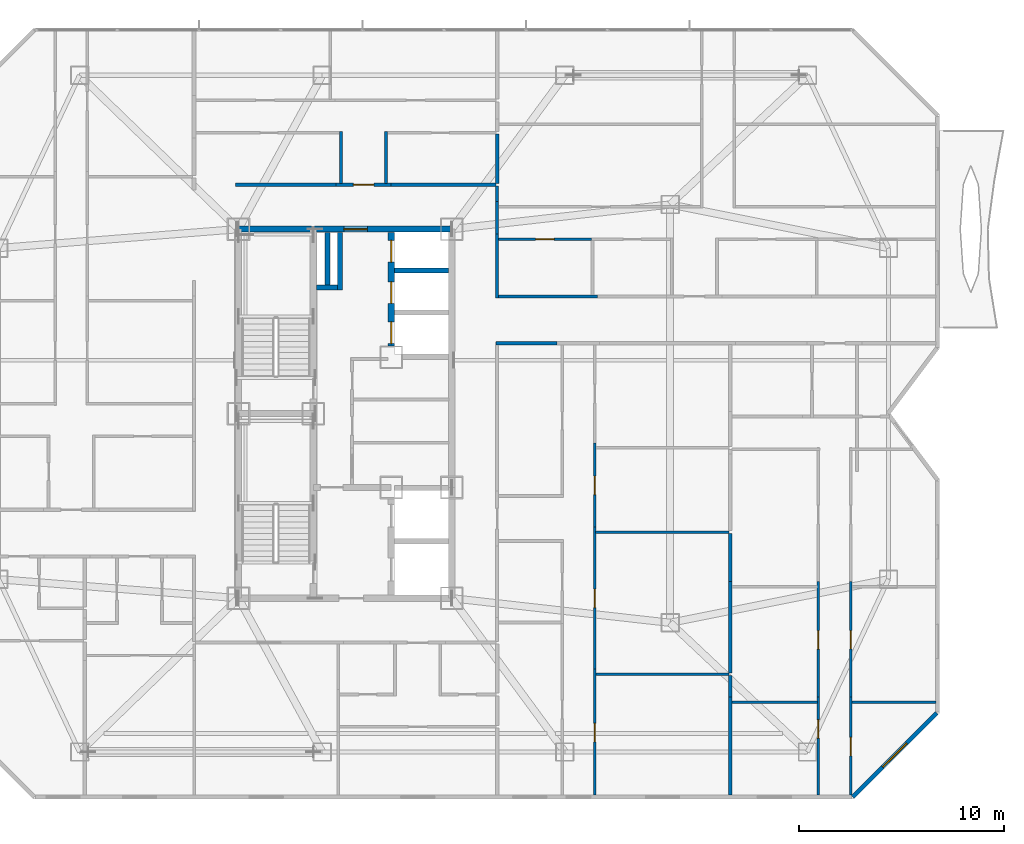
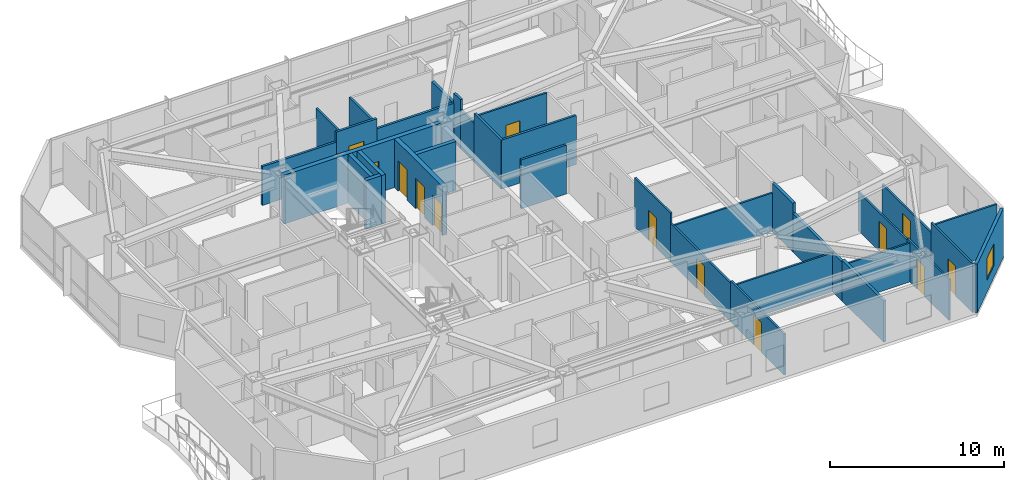
# One storey, part 17 of 21: 34 walls, 13 doors, 1 window, 14 openings.
"""IFC4 building model written with IfcOpenShell, lengths in metres."""

from ifc_helpers import new_model, si_unit, direction, frame, frame_2d, origin, place, context, subcontext, project, spatial, rectangle, extrude, material, layer, layer_set, type_object, element, fill, save


model = new_model("IFC4")

# Units and contexts
model_context = context("Model", 3, precision=1e-05, world=origin(), true_north=direction((0.0, 1.0)))
body_context = subcontext(model_context, "Body", "Model", "MODEL_VIEW")
ifc_project = project(units=[si_unit("LENGTHUNIT", "METRE"), si_unit("AREAUNIT", "SQUARE_METRE"), si_unit("VOLUMEUNIT", "CUBIC_METRE"), si_unit("PLANEANGLEUNIT", "RADIAN"), si_unit("MASSUNIT", "GRAM", prefix="KILO")], contexts=[model_context])

# Site, building, storey
site_placement = place(None, origin())
site = spatial("IfcSite", under=ifc_project, at=site_placement, CompositionType="ELEMENT")
building_placement = place(site_placement, origin())
building = spatial("IfcBuilding", under=site, at=building_placement, Name="Khamvora Tower", CompositionType="ELEMENT")
storey_placement = place(building_placement, frame((0.0, 0.0, 159.550048828125)))
storey = spatial("IfcBuildingStorey", under=building, at=storey_placement, Name="L40", CompositionType="ELEMENT", Elevation=159.550048828125)

# Wall, opening, door
ifc_material_1 = material(Name="Concrete C50/60", Category="concrete")
ifc_layer_1 = layer(ifc_material_1, 0.300048828125)
ifc_layer_set_1 = layer_set([ifc_layer_1], Name="Concrete C50/60")
wall_type_1 = type_object("IfcWallType", Name="WAL-CORE-300", PredefinedType="SHEAR", material=ifc_layer_set_1)
wall_1_placement = place(storey_placement, frame((29.0, 37.0, 0.0), z_axis=(0.0, 0.0, 1.0), x_axis=(1.0, 0.0, 0.0)))
wall_1 = element("IfcWall", 1, at=wall_1_placement, inside=storey, type_object=wall_type_1, Name="L40 central core north wall", PredefinedType="SHEAR", context=body_context, shape_type="SweptSolid", body=[
    extrude(rectangle(XDim=10.39990234375, YDim=0.300048828125, at=frame_2d((5.199951171875, 0.0))), origin(), (0.0, 0.0, 1.0), 3.429931640625),
])
opening_1_placement = place(wall_1_placement, frame((5.139892578125, 0.0, 0.0)))
opening_1 = element("IfcOpeningElement", 2, at=opening_1_placement, cuts=wall_1, Name="Opening D-SC1", PredefinedType="OPENING", context=body_context, shape_type="SweptSolid", body=[
    extrude(rectangle(XDim=1.14990234375, YDim=2.199951171875, at=frame_2d((0.574951171875, 1.10009765625))), frame((0.0, 0.159912109375, 0.0), z_axis=(0.0, -1.0, 0.0), x_axis=(1.0, 0.0, 0.0)), (0.0, 0.0, 1.0), 0.320068359375),
])
ifc_material_2 = material(Name="Powder-Coated Steel and Hardwood Leaf", Category="steel")
door_type_1 = type_object("IfcDoorType", Name="DOR-SCHL-1150", OperationType="NOTDEFINED", PredefinedType="DOOR", material=ifc_material_2)
door_1_placement = place(opening_1_placement, origin())
door_1 = element("IfcDoor", 3, at=door_1_placement, inside=storey, type_object=door_type_1, Name="L40 north core lobby to corridor fire door", OperationType="SINGLE_SWING_LEFT", OverallHeight=2.199951171875, OverallWidth=1.14990234375, PredefinedType="DOOR", context=body_context, shape_type="SweptSolid", body=[
    extrude(rectangle(XDim=1.14990234375, YDim=2.199951171875, at=frame_2d((0.574951171875, 1.10009765625))), frame((0.0, 0.02490234375, 0.0), z_axis=(0.0, -1.0, 0.0), x_axis=(1.0, 0.0, 0.0)), (0.0, 0.0, 1.0), 0.050048828125),
])
fill(opening_1, door_1)

# Wall, openings, doors
wall_2_placement = place(storey_placement, frame((36.449951171875, 31.300048828125, 0.0), z_axis=(0.0, 0.0, 1.0), x_axis=(0.0, 1.0, 0.0)))
wall_2 = element("IfcWall", 4, at=wall_2_placement, inside=storey, type_object=wall_type_1, Name="L40 central core lift bank central wall", PredefinedType="SHEAR", context=body_context, shape_type="SweptSolid", body=[
    extrude(rectangle(XDim=5.5458984375, YDim=0.300048828125, at=frame_2d((2.77294921875, 0.0))), origin(), (0.0, 0.0, 1.0), 3.429931640625),
])
opening_2_placement = place(wall_2_placement, frame((0.1201171875, 0.0, 0.0)))
opening_2 = element("IfcOpeningElement", 5, at=opening_2_placement, cuts=wall_2, Name="Opening LD-PL", PredefinedType="OPENING", context=body_context, shape_type="SweptSolid", body=[
    extrude(rectangle(XDim=1.050048828125, YDim=2.14990234375, at=frame_2d((0.52490234375, 1.074951171875))), frame((0.0, 0.159912109375, 0.0), z_axis=(0.0, -1.0, 0.0), x_axis=(1.0, 0.0, 0.0)), (0.0, 0.0, 1.0), 0.320068359375),
])
opening_3_placement = place(wall_2_placement, frame((2.074951171875, 0.0, 0.0)))
opening_3 = element("IfcOpeningElement", 6, at=opening_3_placement, cuts=wall_2, Name="Opening LD-PL", PredefinedType="OPENING", context=body_context, shape_type="SweptSolid", body=[
    extrude(rectangle(XDim=1.050048828125, YDim=2.14990234375, at=frame_2d((0.52490234375, 1.074951171875))), frame((0.0, 0.159912109375, 0.0), z_axis=(0.0, -1.0, 0.0), x_axis=(1.0, 0.0, 0.0)), (0.0, 0.0, 1.0), 0.320068359375),
])
opening_4_placement = place(wall_2_placement, frame((4.094970703125, 0.0, 0.0)))
opening_4 = element("IfcOpeningElement", 7, at=opening_4_placement, cuts=wall_2, Name="Opening LD-PL", PredefinedType="OPENING", context=body_context, shape_type="SweptSolid", body=[
    extrude(rectangle(XDim=1.050048828125, YDim=2.14990234375, at=frame_2d((0.52490234375, 1.074951171875))), frame((0.0, 0.159912109375, 0.0), z_axis=(0.0, -1.0, 0.0), x_axis=(1.0, 0.0, 0.0)), (0.0, 0.0, 1.0), 0.320068359375),
])
door_type_2 = type_object("IfcDoorType", Name="DOR-LIFT-1050", OperationType="SLIDING_TO_LEFT", PredefinedType="DOOR", material=ifc_material_2)
door_2_placement = place(opening_2_placement, origin())
door_2 = element("IfcDoor", 8, at=door_2_placement, inside=storey, type_object=door_type_2, Name="L40 lift landing sliding door PH-01", OperationType="SLIDING_TO_LEFT", OverallHeight=2.14990234375, OverallWidth=1.050048828125, PredefinedType="DOOR", context=body_context, shape_type="SweptSolid", body=[
    extrude(rectangle(XDim=1.050048828125, YDim=2.14990234375, at=frame_2d((0.52490234375, 1.074951171875))), frame((0.0, 0.02490234375, 0.0), z_axis=(0.0, -1.0, 0.0), x_axis=(1.0, 0.0, 0.0)), (0.0, 0.0, 1.0), 0.050048828125),
])
fill(opening_2, door_2)
door_3_placement = place(opening_3_placement, origin())
door_3 = element("IfcDoor", 9, at=door_3_placement, inside=storey, type_object=door_type_2, Name="L40 lift landing sliding door PH-02", OperationType="SLIDING_TO_LEFT", OverallHeight=2.14990234375, OverallWidth=1.050048828125, PredefinedType="DOOR", context=body_context, shape_type="SweptSolid", body=[
    extrude(rectangle(XDim=1.050048828125, YDim=2.14990234375, at=frame_2d((0.52490234375, 1.074951171875))), frame((0.0, 0.02490234375, 0.0), z_axis=(0.0, -1.0, 0.0), x_axis=(1.0, 0.0, 0.0)), (0.0, 0.0, 1.0), 0.050048828125),
])
fill(opening_3, door_3)
door_4_placement = place(opening_4_placement, origin())
door_4 = element("IfcDoor", 10, at=door_4_placement, inside=storey, type_object=door_type_2, Name="L40 lift landing sliding door PH-03", OperationType="SLIDING_TO_LEFT", OverallHeight=2.14990234375, OverallWidth=1.050048828125, PredefinedType="DOOR", context=body_context, shape_type="SweptSolid", body=[
    extrude(rectangle(XDim=1.050048828125, YDim=2.14990234375, at=frame_2d((0.52490234375, 1.074951171875))), frame((0.0, 0.02490234375, 0.0), z_axis=(0.0, -1.0, 0.0), x_axis=(1.0, 0.0, 0.0)), (0.0, 0.0, 1.0), 0.050048828125),
])
fill(opening_4, door_4)

# Wall, opening, door
ifc_material_3 = material(Name="Fire-Rated Drywall and Steel Stud", Category="steel")
ifc_layer_2 = layer(ifc_material_3, 0.14990234375)
ifc_layer_set_2 = layer_set([ifc_layer_2], Name="Fire-Rated Drywall and Steel Stud")
wall_type_2 = type_object("IfcWallType", Name="WAL-CORR-150", PredefinedType="STANDARD", material=ifc_layer_set_2)
wall_3_placement = place(storey_placement, frame((33.75, 39.1650390625, 0.0), z_axis=(0.0, 0.0, 1.0), x_axis=(1.0, 0.0, 0.0)))
wall_3 = element("IfcWall", 11, at=wall_3_placement, inside=storey, type_object=wall_type_2, Name="L40 interior partition wall 025", PredefinedType="STANDARD", context=body_context, shape_type="SweptSolid", body=[
    extrude(rectangle(XDim=2.697998046875, YDim=0.14990234375, at=frame_2d((1.34912109375, 0.0))), origin(), (0.0, 0.0, 1.0), 3.429931640625),
])
opening_5_placement = place(wall_3_placement, frame((0.84912109375, 0.0, 0.0)))
opening_5 = element("IfcOpeningElement", 12, at=opening_5_placement, cuts=wall_3, Name="Opening D-U1", PredefinedType="OPENING", context=body_context, shape_type="SweptSolid", body=[
    extrude(rectangle(XDim=1.0, YDim=2.14990234375, at=frame_2d((0.5, 1.074951171875))), frame((0.0, 0.0849609375, 0.0), z_axis=(0.0, -1.0, 0.0), x_axis=(1.0, 0.0, 0.0)), (0.0, 0.0, 1.0), 0.169921875),
])
door_type_3 = type_object("IfcDoorType", Name="DOR-UNIT-1000", OperationType="NOTDEFINED", PredefinedType="DOOR", material=ifc_material_2)
door_5_placement = place(opening_5_placement, origin())
door_5 = element("IfcDoor", 13, at=door_5_placement, inside=storey, type_object=door_type_3, Name="L40 interior door COR-40NAH", OperationType="SINGLE_SWING_LEFT", OverallHeight=2.14990234375, OverallWidth=1.0, PredefinedType="DOOR", context=body_context, shape_type="SweptSolid", body=[
    extrude(rectangle(XDim=1.0, YDim=2.14990234375, at=frame_2d((0.5, 1.074951171875))), frame((0.0, 0.02490234375, 0.0), z_axis=(0.0, -1.0, 0.0), x_axis=(1.0, 0.0, 0.0)), (0.0, 0.0, 1.0), 0.050048828125),
])
fill(opening_5, door_5)

# Walls
wall_4_placement = place(storey_placement, frame((36.447998046875, 39.1650390625, 0.0), z_axis=(0.0, 0.0, 1.0), x_axis=(1.0, 0.0, 0.0)))
element("IfcWall", 14, at=wall_4_placement, inside=storey, type_object=wall_type_2, Name="L40 interior partition wall 026", PredefinedType="STANDARD", context=body_context, shape_type="SweptSolid", body=[
    extrude(rectangle(XDim=5.10205078125, YDim=0.14990234375, at=frame_2d((2.551025390625, 0.0))), origin(), (0.0, 0.0, 1.0), 2.724853515625),
])
wall_5_placement = place(storey_placement, frame((28.85009765625, 39.1650390625, 0.0), z_axis=(0.0, 0.0, 1.0), x_axis=(1.0, 0.0, 0.0)))
element("IfcWall", 15, at=wall_5_placement, inside=storey, type_object=wall_type_2, Name="L40 interior partition wall 027", PredefinedType="STANDARD", context=body_context, shape_type="SweptSolid", body=[
    extrude(rectangle(XDim=4.89990234375, YDim=0.14990234375, at=frame_2d((2.449951171875, 0.0))), origin(), (0.0, 0.0, 1.0), 2.724853515625),
])
wall_6_placement = place(storey_placement, frame((44.5390625, 31.43505859375, 0.0), z_axis=(0.0, 0.0, 1.0), x_axis=(-1.0, 0.0, 0.0)))
element("IfcWall", 16, at=wall_6_placement, inside=storey, type_object=wall_type_2, Name="L40 interior partition wall 032", PredefinedType="STANDARD", context=body_context, shape_type="SweptSolid", body=[
    extrude(rectangle(XDim=2.989013671875, YDim=0.14990234375, at=frame_2d((1.49462890625, 0.0))), origin(), (0.0, 0.0, 1.0), 3.429931640625),
])
wall_7_placement = place(storey_placement, frame((41.614990234375, 36.758056640625, 0.0), z_axis=(0.0, 0.0, 1.0), x_axis=(0.0, -1.0, 0.0)))
element("IfcWall", 17, at=wall_7_placement, inside=storey, type_object=wall_type_2, Name="L40 interior partition wall 038", PredefinedType="STANDARD", context=body_context, shape_type="SweptSolid", body=[
    extrude(rectangle(XDim=3.108154296875, YDim=0.14990234375, at=frame_2d((1.55419921875, 0.0))), origin(), (0.0, 0.0, 1.0), 3.429931640625),
])
wall_8_placement = place(storey_placement, frame((41.550048828125, 33.715087890625, 0.0), z_axis=(0.0, 0.0, 1.0), x_axis=(1.0, 0.0, 0.0)))
element("IfcWall", 18, at=wall_8_placement, inside=storey, type_object=wall_type_2, Name="L40 interior partition wall 039", PredefinedType="STANDARD", context=body_context, shape_type="SweptSolid", body=[
    extrude(rectangle(XDim=4.968994140625, YDim=0.14990234375, at=frame_2d((2.484375, 0.0))), origin(), (0.0, 0.0, 1.0), 3.429931640625),
])
wall_9_placement = place(storey_placement, frame((41.614990234375, 38.337890625, 0.0), z_axis=(0.0, 0.0, 1.0), x_axis=(0.0, -1.0, 0.0)))
element("IfcWall", 19, at=wall_9_placement, inside=storey, type_object=wall_type_2, Name="L40 interior partition wall 041", PredefinedType="STANDARD", context=body_context, shape_type="SweptSolid", body=[
    extrude(rectangle(XDim=1.579833984375, YDim=0.14990234375, at=frame_2d((0.7900390625, 0.0))), origin(), (0.0, 0.0, 1.0), 2.724853515625),
])
wall_10_placement = place(storey_placement, frame((41.614990234375, 39.10009765625, 0.0), z_axis=(0.0, 0.0, 1.0), x_axis=(0.0, -1.0, 0.0)))
element("IfcWall", 20, at=wall_10_placement, inside=storey, type_object=wall_type_2, Name="L40 interior partition wall 045", PredefinedType="STANDARD", context=body_context, shape_type="SweptSolid", body=[
    extrude(rectangle(XDim=0.76220703125, YDim=0.14990234375, at=frame_2d((0.381103515625, 0.0))), origin(), (0.0, 0.0, 1.0), 3.429931640625),
])
ifc_material_4 = material(Name="Acoustic Double-Stud Fire Wall", Category="gypsum")
ifc_layer_3 = layer(ifc_material_4, 0.179931640625)
ifc_layer_set_3 = layer_set([ifc_layer_3], Name="Acoustic Double-Stud Fire Wall")
wall_type_3 = type_object("IfcWallType", Name="WAL-CORR-180", PredefinedType="STANDARD", material=ifc_layer_set_3)
wall_11_placement = place(storey_placement, frame((41.614990234375, 41.6298828125, 0.0), z_axis=(0.0, 0.0, 1.0), x_axis=(0.0, -1.0, 0.0)))
element("IfcWall", 21, at=wall_11_placement, inside=storey, type_object=wall_type_3, Name="L40 interior partition wall 103", PredefinedType="STANDARD", context=body_context, shape_type="SweptSolid", body=[
    extrude(rectangle(XDim=2.39990234375, YDim=0.179931640625, at=frame_2d((1.199951171875, 0.0))), origin(), (0.0, 0.0, 1.0), 2.724853515625),
])
wall_12_placement = place(storey_placement, frame((52.985107421875, 14.177001953125, 0.0), z_axis=(0.0, 0.0, 1.0), x_axis=(0.0, -1.0, 0.0)))
element("IfcWall", 22, at=wall_12_placement, inside=storey, type_object=wall_type_3, Name="L40 interior partition wall 117", PredefinedType="STANDARD", context=body_context, shape_type="SweptSolid", body=[
    extrude(rectangle(XDim=4.784912109375, YDim=0.179931640625, at=frame_2d((2.392578125, 0.0))), origin(), (0.0, 0.0, 1.0), 2.8759765625),
])
wall_13_placement = place(storey_placement, frame((52.985107421875, 15.23193359375, 0.0), z_axis=(0.0, 0.0, 1.0), x_axis=(0.0, -1.0, 0.0)))
element("IfcWall", 23, at=wall_13_placement, inside=storey, type_object=wall_type_3, Name="L40 interior partition wall 118", PredefinedType="STANDARD", context=body_context, shape_type="SweptSolid", body=[
    extrude(rectangle(XDim=1.054931640625, YDim=0.179931640625, at=frame_2d((0.52734375, 0.0))), origin(), (0.0, 0.0, 1.0), 2.724853515625),
])
wall_14_placement = place(storey_placement, frame((52.985107421875, 19.81005859375, 0.0), z_axis=(0.0, 0.0, 1.0), x_axis=(0.0, -1.0, 0.0)))
element("IfcWall", 24, at=wall_14_placement, inside=storey, type_object=wall_type_3, Name="L40 interior partition wall 120", PredefinedType="STANDARD", context=body_context, shape_type="SweptSolid", body=[
    extrude(rectangle(XDim=4.447998046875, YDim=0.179931640625, at=frame_2d((2.22412109375, 0.0))), origin(), (0.0, 0.0, 1.0), 2.724853515625),
])
wall_15_placement = place(storey_placement, frame((52.985107421875, 22.160888671875, 0.0), z_axis=(0.0, 0.0, 1.0), x_axis=(0.0, -1.0, 0.0)))
element("IfcWall", 25, at=wall_15_placement, inside=storey, type_object=wall_type_3, Name="L40 interior partition wall 121", PredefinedType="STANDARD", context=body_context, shape_type="SweptSolid", body=[
    extrude(rectangle(XDim=2.350830078125, YDim=0.179931640625, at=frame_2d((1.17529296875, 0.0))), origin(), (0.0, 0.0, 1.0), 3.429931640625),
])

# Wall, opening, window
ifc_material_5 = material(Name="Precast concrete C40/50", Category="concrete")
ifc_layer_4 = layer(ifc_material_5, 0.199951171875)
ifc_layer_set_4 = layer_set([ifc_layer_4], Name="Precast concrete C40/50")
wall_type_4 = type_object("IfcWallType", Name="WAL-EXT-200", PredefinedType="STANDARD", material=ifc_layer_set_4)
wall_16_placement = place(storey_placement, frame((63.056884765625, 13.39794921875, 0.0), z_axis=(0.0, 0.0, 1.0), x_axis=(-0.707106781187, -0.707106781187, 0.0)))
wall_16 = element("IfcWall", 26, at=wall_16_placement, inside=storey, type_object=wall_type_4, Name="L40 exterior facade wall 13.1", PredefinedType="STANDARD", context=body_context, shape_type="SweptSolid", body=[
    extrude(rectangle(XDim=5.79541015625, YDim=0.199951171875, at=frame_2d((2.897705078125, 0.0))), origin(), (0.0, 0.0, 1.0), 3.429931640625),
])
opening_6_placement = place(wall_16_placement, frame((2.072998046875, 0.0, 0.85009765625)))
opening_6 = element("IfcOpeningElement", 27, at=opening_6_placement, cuts=wall_16, Name="Opening WN-06", PredefinedType="OPENING", context=body_context, shape_type="SweptSolid", body=[
    extrude(rectangle(XDim=1.64990234375, YDim=1.550048828125, at=frame_2d((0.824951171875, 0.77490234375))), frame((0.0, 0.10986328125, 0.0), z_axis=(0.0, -1.0, 0.0), x_axis=(1.0, 0.0, 0.0)), (0.0, 0.0, 1.0), 0.219970703125),
])
ifc_material_6 = material(Name="Low-E Laminated Double Glazing", Category="glass")
window_type = type_object("IfcWindowType", Name="WIN-VIS-1650x1550", PartitioningType="SINGLE_PANEL", PredefinedType="WINDOW", material=ifc_material_6)
window_placement = place(opening_6_placement, origin())
window = element("IfcWindow", 28, at=window_placement, inside=storey, type_object=window_type, Name="L40 vision window 13.1.01", OverallHeight=1.550048828125, OverallWidth=1.64990234375, PartitioningType="SINGLE_PANEL", PredefinedType="WINDOW", context=body_context, shape_type="SweptSolid", body=[
    extrude(rectangle(XDim=1.64990234375, YDim=1.550048828125, at=frame_2d((0.824951171875, 0.77490234375))), frame((0.0, 0.030029296875, 0.0), z_axis=(0.0, -1.0, 0.0), x_axis=(1.0, 0.0, 0.0)), (0.0, 0.0, 1.0), 0.06005859375),
])
fill(opening_6, window)

# Wall, opening, door
ifc_material_7 = material(Name="Gypsum Plasterboard Partition", Category="gypsum")
ifc_layer_5 = layer(ifc_material_7, 0.1201171875)
ifc_layer_set_5 = layer_set([ifc_layer_5], Name="Gypsum Plasterboard Partition")
wall_type_5 = type_object("IfcWallType", Name="WAL-PART-120", PredefinedType="PARTITIONING", material=ifc_layer_set_5)
wall_17_placement = place(storey_placement, frame((46.367919921875, 15.5458984375, 0.0), z_axis=(0.0, 0.0, 1.0), x_axis=(0.0, -1.0, 0.0)))
wall_17 = element("IfcWall", 29, at=wall_17_placement, inside=storey, type_object=wall_type_5, Name="L40 interior partition wall 112", PredefinedType="PARTITIONING", context=body_context, shape_type="SweptSolid", body=[
    extrude(rectangle(XDim=6.15380859375, YDim=0.1201171875, at=frame_2d((3.076904296875, 0.0))), origin(), (0.0, 0.0, 1.0), 2.8759765625),
])
opening_7_placement = place(wall_17_placement, frame((2.64794921875, 0.0, 0.0)))
opening_7 = element("IfcOpeningElement", 30, at=opening_7_placement, cuts=wall_17, Name="Opening D-RM1", PredefinedType="OPENING", context=body_context, shape_type="SweptSolid", body=[
    extrude(rectangle(XDim=0.89990234375, YDim=2.10009765625, at=frame_2d((0.449951171875, 1.050048828125))), frame((0.0, 0.070068359375, 0.0), z_axis=(0.0, -1.0, 0.0), x_axis=(1.0, 0.0, 0.0)), (0.0, 0.0, 1.0), 0.14013671875),
])
door_type_4 = type_object("IfcDoorType", Name="DOR-ROOM-900", OperationType="NOTDEFINED", PredefinedType="DOOR", material=ifc_material_2)
door_6_placement = place(opening_7_placement, origin())
door_6 = element("IfcDoor", 31, at=door_6_placement, inside=storey, type_object=door_type_4, Name="L40 interior door 40EAH-40EAR1", OperationType="SINGLE_SWING_LEFT", OverallHeight=2.10009765625, OverallWidth=0.89990234375, PredefinedType="DOOR", context=body_context, shape_type="SweptSolid", body=[
    extrude(rectangle(XDim=0.89990234375, YDim=2.10009765625, at=frame_2d((0.449951171875, 1.050048828125))), frame((0.0, 0.02490234375, 0.0), z_axis=(0.0, -1.0, 0.0), x_axis=(1.0, 0.0, 0.0)), (0.0, 0.0, 1.0), 0.050048828125),
])
fill(opening_7, door_6)

wall_18_placement = place(storey_placement, frame((46.367919921875, 22.47509765625, 0.0), z_axis=(0.0, 0.0, 1.0), x_axis=(0.0, -1.0, 0.0)))
wall_18 = element("IfcWall", 32, at=wall_18_placement, inside=storey, type_object=wall_type_5, Name="L40 interior partition wall 113", PredefinedType="PARTITIONING", context=body_context, shape_type="SweptSolid", body=[
    extrude(rectangle(XDim=6.92919921875, YDim=0.1201171875, at=frame_2d((3.464599609375, 0.0))), origin(), (0.0, 0.0, 1.0), 2.724853515625),
])
opening_8_placement = place(wall_18_placement, frame((3.034912109375, 0.0, 0.0)))
opening_8 = element("IfcOpeningElement", 33, at=opening_8_placement, cuts=wall_18, Name="Opening D-RM1", PredefinedType="OPENING", context=body_context, shape_type="SweptSolid", body=[
    extrude(rectangle(XDim=0.89990234375, YDim=2.10009765625, at=frame_2d((0.449951171875, 1.050048828125))), frame((0.0, 0.070068359375, 0.0), z_axis=(0.0, -1.0, 0.0), x_axis=(1.0, 0.0, 0.0)), (0.0, 0.0, 1.0), 0.14013671875),
])
door_7_placement = place(opening_8_placement, origin())
door_7 = element("IfcDoor", 34, at=door_7_placement, inside=storey, type_object=door_type_4, Name="L40 interior door 40EAH-40EAR2", OperationType="SINGLE_SWING_RIGHT", OverallHeight=2.10009765625, OverallWidth=0.89990234375, PredefinedType="DOOR", context=body_context, shape_type="SweptSolid", body=[
    extrude(rectangle(XDim=0.89990234375, YDim=2.10009765625, at=frame_2d((0.449951171875, 1.050048828125))), frame((0.0, 0.02490234375, 0.0), z_axis=(0.0, -1.0, 0.0), x_axis=(1.0, 0.0, 0.0)), (0.0, 0.0, 1.0), 0.050048828125),
])
fill(opening_8, door_7)

wall_19_placement = place(storey_placement, frame((46.367919921875, 26.575927734375, 0.0), z_axis=(0.0, 0.0, 1.0), x_axis=(0.0, -1.0, 0.0)))
wall_19 = element("IfcWall", 35, at=wall_19_placement, inside=storey, type_object=wall_type_5, Name="L40 interior partition wall 114", PredefinedType="PARTITIONING", context=body_context, shape_type="SweptSolid", body=[
    extrude(rectangle(XDim=4.100830078125, YDim=0.1201171875, at=frame_2d((2.05029296875, 0.0))), origin(), (0.0, 0.0, 1.0), 3.429931640625),
])
opening_9_placement = place(wall_19_placement, frame((1.62109375, 0.0, 0.0)))
opening_9 = element("IfcOpeningElement", 36, at=opening_9_placement, cuts=wall_19, Name="Opening D-RM1", PredefinedType="OPENING", context=body_context, shape_type="SweptSolid", body=[
    extrude(rectangle(XDim=0.89990234375, YDim=2.10009765625, at=frame_2d((0.449951171875, 1.050048828125))), frame((0.0, 0.070068359375, 0.0), z_axis=(0.0, -1.0, 0.0), x_axis=(1.0, 0.0, 0.0)), (0.0, 0.0, 1.0), 0.14013671875),
])
door_8_placement = place(opening_9_placement, origin())
door_8 = element("IfcDoor", 37, at=door_8_placement, inside=storey, type_object=door_type_4, Name="L40 interior door 40EAH-40EAR3", OperationType="SINGLE_SWING_LEFT", OverallHeight=2.10009765625, OverallWidth=0.89990234375, PredefinedType="DOOR", context=body_context, shape_type="SweptSolid", body=[
    extrude(rectangle(XDim=0.89990234375, YDim=2.10009765625, at=frame_2d((0.449951171875, 1.050048828125))), frame((0.0, 0.02490234375, 0.0), z_axis=(0.0, -1.0, 0.0), x_axis=(1.0, 0.0, 0.0)), (0.0, 0.0, 1.0), 0.050048828125),
])
fill(opening_9, door_8)

# Walls
for number, where, z_axis, x_axis, name in (
    (38, (46.422119140625, 15.297119140625, 0.0), (0.0, 0.0, 1.0), (1.0, 0.0, 0.0), "L40 interior partition wall 116"),
    (39, (46.422119140625, 22.22607421875, 0.0), (0.0, 0.0, 1.0), (1.0, 0.0, 0.0), "L40 interior partition wall 119"),
):
    element("IfcWall", number, at=place(storey_placement, frame(where, z_axis=z_axis, x_axis=x_axis)), inside=storey, type_object=wall_type_5, Name=name, PredefinedType="PARTITIONING", context=body_context, shape_type="SweptSolid", body=[
        extrude(rectangle(XDim=6.497802734375, YDim=0.1201171875, at=frame_2d((3.2490234375, 0.0))), origin(), (0.0, 0.0, 1.0), 2.724853515625),
    ])

# Wall, opening, door
wall_20_placement = place(storey_placement, frame((57.284912109375, 9.39208984375, 0.0), z_axis=(0.0, 0.0, 1.0), x_axis=(0.0, 1.0, 0.0)))
wall_20 = element("IfcWall", 40, at=wall_20_placement, inside=storey, type_object=wall_type_5, Name="L40 interior partition wall 131", PredefinedType="PARTITIONING", context=body_context, shape_type="SweptSolid", body=[
    extrude(rectangle(XDim=4.784912109375, YDim=0.1201171875, at=frame_2d((2.392578125, 0.0))), origin(), (0.0, 0.0, 1.0), 2.8759765625),
])
opening_10_placement = place(wall_20_placement, frame((2.778076171875, 0.0, 0.0)))
opening_10 = element("IfcOpeningElement", 41, at=opening_10_placement, cuts=wall_20, Name="Opening D-RM1", PredefinedType="OPENING", context=body_context, shape_type="SweptSolid", body=[
    extrude(rectangle(XDim=0.89990234375, YDim=2.10009765625, at=frame_2d((0.449951171875, 1.050048828125))), frame((0.0, 0.070068359375, 0.0), z_axis=(0.0, -1.0, 0.0), x_axis=(1.0, 0.0, 0.0)), (0.0, 0.0, 1.0), 0.14013671875),
])
door_9_placement = place(opening_10_placement, origin())
door_9 = element("IfcDoor", 42, at=door_9_placement, inside=storey, type_object=door_type_4, Name="L40 interior door 40EBH-40EBL", OperationType="SINGLE_SWING_RIGHT", OverallHeight=2.10009765625, OverallWidth=0.89990234375, PredefinedType="DOOR", context=body_context, shape_type="SweptSolid", body=[
    extrude(rectangle(XDim=0.89990234375, YDim=2.10009765625, at=frame_2d((0.449951171875, 1.050048828125))), frame((0.0, 0.02490234375, 0.0), z_axis=(0.0, -1.0, 0.0), x_axis=(1.0, 0.0, 0.0)), (0.0, 0.0, 1.0), 0.050048828125),
])
fill(opening_10, door_9)

wall_21_placement = place(storey_placement, frame((57.284912109375, 14.177001953125, 0.0), z_axis=(0.0, 0.0, 1.0), x_axis=(0.0, 1.0, 0.0)))
wall_21 = element("IfcWall", 43, at=wall_21_placement, inside=storey, type_object=wall_type_5, Name="L40 interior partition wall 132", PredefinedType="PARTITIONING", context=body_context, shape_type="SweptSolid", body=[
    extrude(rectangle(XDim=5.633056640625, YDim=0.1201171875, at=frame_2d((2.81640625, 0.0))), origin(), (0.0, 0.0, 1.0), 2.724853515625),
])
opening_11_placement = place(wall_21_placement, frame((2.344970703125, 0.0, 0.0)))
opening_11 = element("IfcOpeningElement", 44, at=opening_11_placement, cuts=wall_21, Name="Opening D-RM1", PredefinedType="OPENING", context=body_context, shape_type="SweptSolid", body=[
    extrude(rectangle(XDim=0.89990234375, YDim=2.10009765625, at=frame_2d((0.449951171875, 1.050048828125))), frame((0.0, 0.070068359375, 0.0), z_axis=(0.0, -1.0, 0.0), x_axis=(1.0, 0.0, 0.0)), (0.0, 0.0, 1.0), 0.14013671875),
])
door_10_placement = place(opening_11_placement, origin())
door_10 = element("IfcDoor", 45, at=door_10_placement, inside=storey, type_object=door_type_4, Name="L40 interior door 40EBH-40EBR2", OperationType="SINGLE_SWING_RIGHT", OverallHeight=2.10009765625, OverallWidth=0.89990234375, PredefinedType="DOOR", context=body_context, shape_type="SweptSolid", body=[
    extrude(rectangle(XDim=0.89990234375, YDim=2.10009765625, at=frame_2d((0.449951171875, 1.050048828125))), frame((0.0, 0.02490234375, 0.0), z_axis=(0.0, -1.0, 0.0), x_axis=(1.0, 0.0, 0.0)), (0.0, 0.0, 1.0), 0.050048828125),
])
fill(opening_11, door_10)

wall_22_placement = place(storey_placement, frame((58.85498046875, 14.177001953125, 0.0), z_axis=(0.0, 0.0, 1.0), x_axis=(0.0, -1.0, 0.0)))
wall_22 = element("IfcWall", 46, at=wall_22_placement, inside=storey, type_object=wall_type_5, Name="L40 interior partition wall 135", PredefinedType="PARTITIONING", context=body_context, shape_type="SweptSolid", body=[
    extrude(rectangle(XDim=4.784912109375, YDim=0.1201171875, at=frame_2d((2.392578125, 0.0))), origin(), (0.0, 0.0, 1.0), 3.429931640625),
])
opening_12_placement = place(wall_22_placement, frame((1.964111328125, 0.0, 0.0)))
opening_12 = element("IfcOpeningElement", 47, at=opening_12_placement, cuts=wall_22, Name="Opening D-RM1", PredefinedType="OPENING", context=body_context, shape_type="SweptSolid", body=[
    extrude(rectangle(XDim=0.89990234375, YDim=2.10009765625, at=frame_2d((0.449951171875, 1.050048828125))), frame((0.0, 0.070068359375, 0.0), z_axis=(0.0, -1.0, 0.0), x_axis=(1.0, 0.0, 0.0)), (0.0, 0.0, 1.0), 0.14013671875),
])
door_11_placement = place(opening_12_placement, origin())
door_11 = element("IfcDoor", 48, at=door_11_placement, inside=storey, type_object=door_type_4, Name="L40 interior door 40EBH-40EBR4", OperationType="SINGLE_SWING_RIGHT", OverallHeight=2.10009765625, OverallWidth=0.89990234375, PredefinedType="DOOR", context=body_context, shape_type="SweptSolid", body=[
    extrude(rectangle(XDim=0.89990234375, YDim=2.10009765625, at=frame_2d((0.449951171875, 1.050048828125))), frame((0.0, 0.02490234375, 0.0), z_axis=(0.0, -1.0, 0.0), x_axis=(1.0, 0.0, 0.0)), (0.0, 0.0, 1.0), 0.050048828125),
])
fill(opening_12, door_11)

wall_23_placement = place(storey_placement, frame((58.85498046875, 19.81005859375, 0.0), z_axis=(0.0, 0.0, 1.0), x_axis=(0.0, -1.0, 0.0)))
wall_23 = element("IfcWall", 49, at=wall_23_placement, inside=storey, type_object=wall_type_5, Name="L40 interior partition wall 136", PredefinedType="PARTITIONING", context=body_context, shape_type="SweptSolid", body=[
    extrude(rectangle(XDim=5.633056640625, YDim=0.1201171875, at=frame_2d((2.81640625, 0.0))), origin(), (0.0, 0.0, 1.0), 2.724853515625),
])
opening_13_placement = place(wall_23_placement, frame((2.386962890625, 0.0, 0.0)))
opening_13 = element("IfcOpeningElement", 50, at=opening_13_placement, cuts=wall_23, Name="Opening D-RM1", PredefinedType="OPENING", context=body_context, shape_type="SweptSolid", body=[
    extrude(rectangle(XDim=0.89990234375, YDim=2.10009765625, at=frame_2d((0.449951171875, 1.050048828125))), frame((0.0, 0.070068359375, 0.0), z_axis=(0.0, -1.0, 0.0), x_axis=(1.0, 0.0, 0.0)), (0.0, 0.0, 1.0), 0.14013671875),
])
door_12_placement = place(opening_13_placement, origin())
door_12 = element("IfcDoor", 51, at=door_12_placement, inside=storey, type_object=door_type_4, Name="L40 interior door 40EBH-40EBR5", OperationType="SINGLE_SWING_LEFT", OverallHeight=2.10009765625, OverallWidth=0.89990234375, PredefinedType="DOOR", context=body_context, shape_type="SweptSolid", body=[
    extrude(rectangle(XDim=0.89990234375, YDim=2.10009765625, at=frame_2d((0.449951171875, 1.050048828125))), frame((0.0, 0.02490234375, 0.0), z_axis=(0.0, -1.0, 0.0), x_axis=(1.0, 0.0, 0.0)), (0.0, 0.0, 1.0), 0.050048828125),
])
fill(opening_13, door_12)

# Walls
wall_24_placement = place(storey_placement, frame((53.06689453125, 13.927001953125, 0.0), z_axis=(0.0, 0.0, 1.0), x_axis=(1.0, 0.0, 0.0)))
element("IfcWall", 52, at=wall_24_placement, inside=storey, type_object=wall_type_5, Name="L40 interior partition wall 139", PredefinedType="PARTITIONING", context=body_context, shape_type="SweptSolid", body=[
    extrude(rectangle(XDim=4.1640625, YDim=0.1201171875, at=frame_2d((2.08203125, 0.0))), origin(), (0.0, 0.0, 1.0), 2.724853515625),
])
wall_25_placement = place(storey_placement, frame((58.908935546875, 13.927001953125, 0.0), z_axis=(0.0, 0.0, 1.0), x_axis=(1.0, 0.0, 0.0)))
element("IfcWall", 53, at=wall_25_placement, inside=storey, type_object=wall_type_5, Name="L40 interior partition wall 141", PredefinedType="PARTITIONING", context=body_context, shape_type="SweptSolid", body=[
    extrude(rectangle(XDim=4.09912109375, YDim=0.1201171875, at=frame_2d((2.049560546875, 0.0))), origin(), (0.0, 0.0, 1.0), 3.429931640625),
])

# Wall, opening, door
wall_26_placement = place(storey_placement, frame((41.681884765625, 36.509033203125, 0.0), z_axis=(0.0, 0.0, 1.0), x_axis=(1.0, 0.0, 0.0)))
wall_26 = element("IfcWall", 54, at=wall_26_placement, inside=storey, type_object=wall_type_5, Name="L40 interior partition wall 143", PredefinedType="PARTITIONING", context=body_context, shape_type="SweptSolid", body=[
    extrude(rectangle(XDim=4.523193359375, YDim=0.1201171875, at=frame_2d((2.26171875, 0.0))), origin(), (0.0, 0.0, 1.0), 3.429931640625),
])
opening_14_placement = place(wall_26_placement, frame((1.81103515625, 0.0, 0.0)))
opening_14 = element("IfcOpeningElement", 55, at=opening_14_placement, cuts=wall_26, Name="Opening D-RM1", PredefinedType="OPENING", context=body_context, shape_type="SweptSolid", body=[
    extrude(rectangle(XDim=0.89990234375, YDim=2.10009765625, at=frame_2d((0.449951171875, 1.050048828125))), frame((0.0, 0.070068359375, 0.0), z_axis=(0.0, -1.0, 0.0), x_axis=(1.0, 0.0, 0.0)), (0.0, 0.0, 1.0), 0.14013671875),
])
door_13_placement = place(opening_14_placement, origin())
door_13 = element("IfcDoor", 56, at=door_13_placement, inside=storey, type_object=door_type_4, Name="L40 interior door 40ECW1-40ECH", OperationType="SINGLE_SWING_LEFT", OverallHeight=2.10009765625, OverallWidth=0.89990234375, PredefinedType="DOOR", context=body_context, shape_type="SweptSolid", body=[
    extrude(rectangle(XDim=0.89990234375, YDim=2.10009765625, at=frame_2d((0.449951171875, 1.050048828125))), frame((0.0, 0.02490234375, 0.0), z_axis=(0.0, -1.0, 0.0), x_axis=(1.0, 0.0, 0.0)), (0.0, 0.0, 1.0), 0.050048828125),
])
fill(opening_14, door_13)

# Walls
ifc_material_8 = material(Name="Concrete C40/50", Category="concrete")
ifc_layer_6 = layer(ifc_material_8, 0.25)
ifc_layer_set_6 = layer_set([ifc_layer_6], Name="Concrete C40/50")
wall_type_6 = type_object("IfcWallType", Name="WAL-PODS-250", PredefinedType="SHEAR", material=ifc_layer_set_6)
wall_27_placement = place(storey_placement, frame((36.60400390625, 34.97509765625, 0.0), z_axis=(0.0, 0.0, 1.0), x_axis=(1.0, 0.0, 0.0)))
element("IfcWall", 57, at=wall_27_placement, inside=storey, type_object=wall_type_6, Name="L40 lift shaft divider wall PH-02", PredefinedType="SHEAR", context=body_context, shape_type="SweptSolid", body=[
    extrude(rectangle(XDim=2.64208984375, YDim=0.25, at=frame_2d((1.321044921875, 0.0))), origin(), (0.0, 0.0, 1.0), 3.429931640625),
])
wall_28_placement = place(storey_placement, frame((33.955078125, 34.02490234375, 0.0), z_axis=(0.0, 0.0, 1.0), x_axis=(0.0, 1.0, 0.0)))
element("IfcWall", 58, at=wall_28_placement, inside=storey, type_object=wall_type_6, Name="L40 vertical MEP riser shaft east enclosure wall", PredefinedType="SHEAR", context=body_context, shape_type="SweptSolid", body=[
    extrude(rectangle(XDim=2.821044921875, YDim=0.25, at=frame_2d((1.41064453125, 0.0))), origin(), (0.0, 0.0, 1.0), 3.429931640625),
])
wall_29_placement = place(storey_placement, frame((32.803955078125, 34.14990234375, 0.0), z_axis=(0.0, 0.0, 1.0), x_axis=(1.0, 0.0, 0.0)))
element("IfcWall", 59, at=wall_29_placement, inside=storey, type_object=wall_type_6, Name="L40 vertical MEP riser shaft south enclosure wall", PredefinedType="SHEAR", context=body_context, shape_type="SweptSolid", body=[
    extrude(rectangle(XDim=1.02197265625, YDim=0.25, at=frame_2d((0.510986328125, 0.0))), origin(), (0.0, 0.0, 1.0), 3.429931640625),
])
wall_30_placement = place(storey_placement, frame((33.340087890625, 34.279052734375, 0.0), z_axis=(0.0, 0.0, 1.0), x_axis=(0.0, 1.0, 0.0)))
element("IfcWall", 60, at=wall_30_placement, inside=storey, type_object=wall_type_6, Name="L40 vertical MEP riser shaft divider enclosure wall", PredefinedType="SHEAR", context=body_context, shape_type="SweptSolid", body=[
    extrude(rectangle(XDim=2.56689453125, YDim=0.25, at=frame_2d((1.283447265625, 0.0))), origin(), (0.0, 0.0, 1.0), 3.429931640625),
])
ifc_material_9 = material(Name="Moisture-Resistant Plasterboard Partition", Category="gypsum")
ifc_layer_7 = layer(ifc_material_9, 0.135009765625)
ifc_layer_set_7 = layer_set([ifc_layer_7], Name="Moisture-Resistant Plasterboard Partition")
wall_type_7 = type_object("IfcWallType", Name="WAL-WET-135", PredefinedType="PARTITIONING", material=ifc_layer_set_7)
for number, where, z_axis, x_axis, name in (
    (61, (36.198974609375, 41.760009765625, 0.0), (0.0, 0.0, 1.0), (0.0, -1.0, 0.0), "L40 interior partition wall 096"),
    (62, (33.9990234375, 39.23193359375, 0.0), (0.0, 0.0, 1.0), (0.0, 1.0, 0.0), "L40 interior partition wall 097"),
):
    element("IfcWall", number, at=place(storey_placement, frame(where, z_axis=z_axis, x_axis=x_axis)), inside=storey, type_object=wall_type_7, Name=name, PredefinedType="PARTITIONING", context=body_context, shape_type="SweptSolid", body=[
        extrude(rectangle(XDim=2.528076171875, YDim=0.135009765625, at=frame_2d((1.26416015625, 0.0))), origin(), (0.0, 0.0, 1.0), 3.429931640625),
    ])

save(model, "model.ifc")
